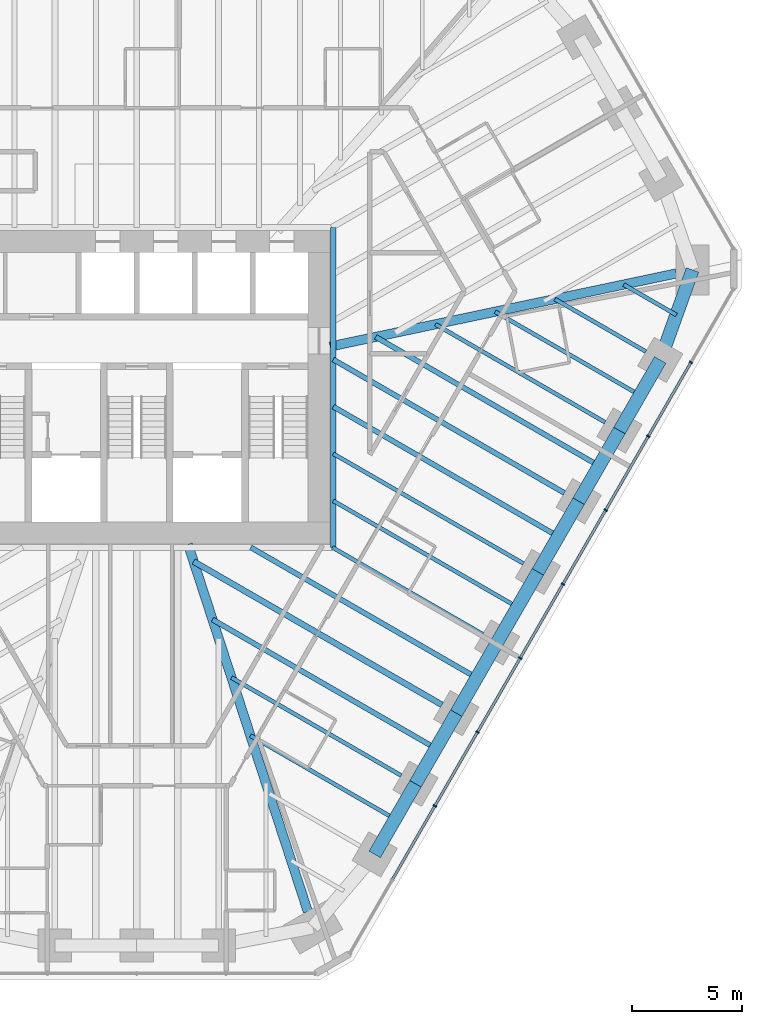
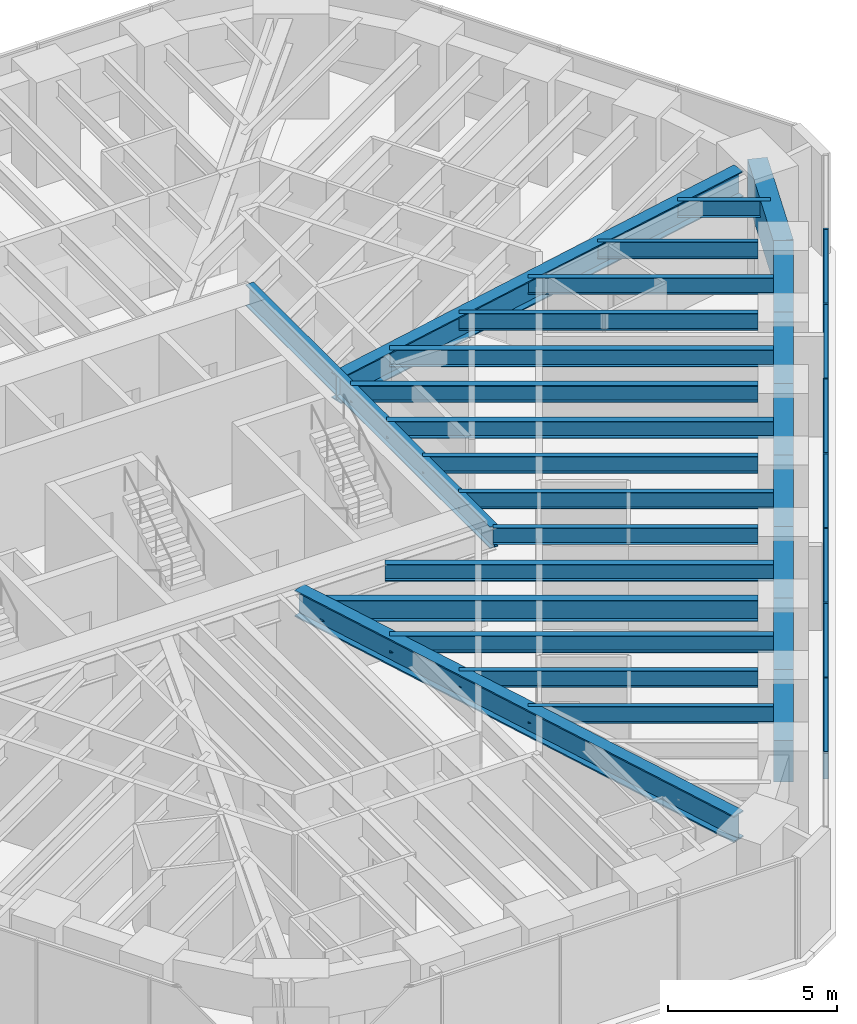
# One storey, part 5 of 16: 26 beams, 14 members, 1 element without a shape of its own.
"""IFC4 building model written with IfcOpenShell, lengths in metres."""

from ifc_helpers import new_model, si_unit, direction, frame, origin, origin_2d, place, context, subcontext, project, spatial, rectangle, i_section, extrude, material, material_profile, profile_set, type_object, element, aggregate, save


model = new_model("IFC4")

# Units and contexts
model_context = context("Model", 3, precision=1e-05, world=origin(), true_north=direction((0.0, 1.0)))
body_context = subcontext(model_context, "Body", "Model", "MODEL_VIEW")
ifc_project = project(units=[si_unit("LENGTHUNIT", "METRE"), si_unit("AREAUNIT", "SQUARE_METRE"), si_unit("VOLUMEUNIT", "CUBIC_METRE"), si_unit("PLANEANGLEUNIT", "RADIAN"), si_unit("MASSUNIT", "GRAM", prefix="KILO")], contexts=[model_context])

# Site, building, storey
site_placement = place(None, origin())
site = spatial("IfcSite", under=ifc_project, at=site_placement, CompositionType="ELEMENT")
building_placement = place(site_placement, origin())
building = spatial("IfcBuilding", under=site, at=building_placement, Name="Sandreach Pilgrim Tower", CompositionType="ELEMENT")
storey_placement = place(building_placement, frame((0.0, 0.0, 202.199951171875)))
storey = spatial("IfcBuildingStorey", under=building, at=storey_placement, Name="L50", CompositionType="ELEMENT", Elevation=202.199951171875)

# Curtain wall, members
ifc_material_1 = material(Name="Aluminium framed curtain wall", Category="aluminium")
curtain_wall_type = type_object("IfcCurtainWallType", Name="Upper hotel tower curtain wall", PredefinedType="NOTDEFINED", material=ifc_material_1)
curtain_wall_placement = place(storey_placement, origin())
curtain_wall = element("IfcCurtainWall", 1, at=curtain_wall_placement, inside=storey, type_object=curtain_wall_type, Name="CW-3 L50 SE", PredefinedType="NOTDEFINED")
ifc_material_2 = material(Name="Aluminium extrusion", Category="aluminium")
ifc_material_profile_1 = material_profile(ifc_material_2, rectangle(XDim=0.06494140625, YDim=0.159912109375, at=origin_2d()), Name="CW-3M 65X160")
ifc_profile_set_1 = profile_set([ifc_material_profile_1], Name="Aluminium extrusion")
member_type_1 = type_object("IfcMemberType", Name="CW-3 mullion", PredefinedType="MULLION", material=ifc_profile_set_1)
member_1_placement = place(storey_placement, frame((25.087890625, 1.13330078125, 0.0), z_axis=(0.0, 0.0, 1.0), x_axis=(-0.5, -0.866025403784, 0.0)))
member_1 = element("IfcMember", 2, at=member_1_placement, type_object=member_type_1, Name="CW-3 mullion 2", PredefinedType="MULLION", context=body_context, shape_type="SweptSolid", body=[
    extrude(rectangle(XDim=0.06494140625, YDim=0.159912109375, at=origin_2d()), origin(), (0.0, 0.0, 1.0), 3.64013671875),
])
member_2_placement = place(storey_placement, frame((23.15576171875, -2.21337890625, 0.0), z_axis=(0.0, 0.0, 1.0), x_axis=(-0.5, -0.866025403784, 0.0)))
member_2 = element("IfcMember", 3, at=member_2_placement, type_object=member_type_1, Name="CW-3 mullion 3", PredefinedType="MULLION", context=body_context, shape_type="SweptSolid", body=[
    extrude(rectangle(XDim=0.06494140625, YDim=0.159912109375, at=origin_2d()), origin(), (0.0, 0.0, 1.0), 3.64013671875),
])
member_3_placement = place(storey_placement, frame((21.223388671875, -5.56005859375, 0.0), z_axis=(0.0, 0.0, 1.0), x_axis=(-0.5, -0.866025403784, 0.0)))
member_3 = element("IfcMember", 4, at=member_3_placement, type_object=member_type_1, Name="CW-3 mullion 4", PredefinedType="MULLION", context=body_context, shape_type="SweptSolid", body=[
    extrude(rectangle(XDim=0.06494140625, YDim=0.159912109375, at=origin_2d()), origin(), (0.0, 0.0, 1.0), 3.64013671875),
])
member_4_placement = place(storey_placement, frame((19.291259765625, -8.90673828125, 0.0), z_axis=(0.0, 0.0, 1.0), x_axis=(-0.5, -0.866025403784, 0.0)))
member_4 = element("IfcMember", 5, at=member_4_placement, type_object=member_type_1, Name="CW-3 mullion 5", PredefinedType="MULLION", context=body_context, shape_type="SweptSolid", body=[
    extrude(rectangle(XDim=0.06494140625, YDim=0.159912109375, at=origin_2d()), origin(), (0.0, 0.0, 1.0), 3.64013671875),
])
member_5_placement = place(storey_placement, frame((17.359130859375, -12.25341796875, 0.0), z_axis=(0.0, 0.0, 1.0), x_axis=(-0.5, -0.866025403784, 0.0)))
member_5 = element("IfcMember", 6, at=member_5_placement, type_object=member_type_1, Name="CW-3 mullion 6", PredefinedType="MULLION", context=body_context, shape_type="SweptSolid", body=[
    extrude(rectangle(XDim=0.06494140625, YDim=0.159912109375, at=origin_2d()), origin(), (0.0, 0.0, 1.0), 3.64013671875),
])
member_6_placement = place(storey_placement, frame((15.4267578125, -15.60009765625, 0.0), z_axis=(0.0, 0.0, 1.0), x_axis=(-0.5, -0.866025403784, 0.0)))
member_6 = element("IfcMember", 7, at=member_6_placement, type_object=member_type_1, Name="CW-3 mullion 7", PredefinedType="MULLION", context=body_context, shape_type="SweptSolid", body=[
    extrude(rectangle(XDim=0.06494140625, YDim=0.159912109375, at=origin_2d()), origin(), (0.0, 0.0, 1.0), 3.64013671875),
])
member_7_placement = place(storey_placement, frame((13.49462890625, -18.94677734375, 0.0), z_axis=(0.0, 0.0, 1.0), x_axis=(-0.5, -0.866025403784, 0.0)))
member_7 = element("IfcMember", 8, at=member_7_placement, type_object=member_type_1, Name="CW-3 mullion 8", PredefinedType="MULLION", context=body_context, shape_type="SweptSolid", body=[
    extrude(rectangle(XDim=0.06494140625, YDim=0.159912109375, at=origin_2d()), origin(), (0.0, 0.0, 1.0), 3.64013671875),
])
ifc_material_3 = material(Name="Aluminium extrusion", Category="aluminium")
ifc_material_profile_2 = material_profile(ifc_material_3, rectangle(XDim=0.1201171875, YDim=0.070068359375, at=origin_2d()), Name="CW-3T 120X70")
ifc_profile_set_2 = profile_set([ifc_material_profile_2], Name="Aluminium extrusion")
member_type_2 = type_object("IfcMemberType", Name="CW-3 transom", PredefinedType="USERDEFINED", material=ifc_profile_set_2)
member_8_placement = place(storey_placement, frame((25.07177734375, 1.105224609375, 3.60498046875), z_axis=(-0.500022797313, -0.86601224135, 0.0), x_axis=(0.86601224135, -0.500022797313, 0.0)))
member_8 = element("IfcMember", 9, at=member_8_placement, type_object=member_type_2, Name="CW-3 head transom 2", ObjectType="TRANSOM", PredefinedType="USERDEFINED", context=body_context, shape_type="SweptSolid", body=[
    extrude(rectangle(XDim=0.1201171875, YDim=0.070068359375, at=origin_2d()), origin(), (0.0, 0.0, 1.0), 3.799560546875),
])
member_9_placement = place(storey_placement, frame((23.139404296875, -2.241455078125, 3.60498046875), z_axis=(-0.499974606132, -0.866040064445, 0.0), x_axis=(0.866040064445, -0.499974606132, 0.0)))
member_9 = element("IfcMember", 10, at=member_9_placement, type_object=member_type_2, Name="CW-3 head transom 3", ObjectType="TRANSOM", PredefinedType="USERDEFINED", context=body_context, shape_type="SweptSolid", body=[
    extrude(rectangle(XDim=0.1201171875, YDim=0.070068359375, at=origin_2d()), origin(), (0.0, 0.0, 1.0), 3.799560546875),
])
member_10_placement = place(storey_placement, frame((21.207275390625, -5.588134765625, 3.60498046875), z_axis=(-0.499974606132, -0.866040064445, 0.0), x_axis=(0.866040064445, -0.499974606132, 0.0)))
member_10 = element("IfcMember", 11, at=member_10_placement, type_object=member_type_2, Name="CW-3 head transom 4", ObjectType="TRANSOM", PredefinedType="USERDEFINED", context=body_context, shape_type="SweptSolid", body=[
    extrude(rectangle(XDim=0.1201171875, YDim=0.070068359375, at=origin_2d()), origin(), (0.0, 0.0, 1.0), 3.799560546875),
])
member_11_placement = place(storey_placement, frame((19.275146484375, -8.934814453125, 3.60498046875), z_axis=(-0.500022797313, -0.86601224135, 0.0), x_axis=(0.86601224135, -0.500022797313, 0.0)))
member_11 = element("IfcMember", 12, at=member_11_placement, type_object=member_type_2, Name="CW-3 head transom 5", ObjectType="TRANSOM", PredefinedType="USERDEFINED", context=body_context, shape_type="SweptSolid", body=[
    extrude(rectangle(XDim=0.1201171875, YDim=0.070068359375, at=origin_2d()), origin(), (0.0, 0.0, 1.0), 3.799560546875),
])
member_12_placement = place(storey_placement, frame((17.3427734375, -12.281494140625, 3.60498046875), z_axis=(-0.499974606132, -0.866040064445, 0.0), x_axis=(0.866040064445, -0.499974606132, 0.0)))
member_12 = element("IfcMember", 13, at=member_12_placement, type_object=member_type_2, Name="CW-3 head transom 6", ObjectType="TRANSOM", PredefinedType="USERDEFINED", context=body_context, shape_type="SweptSolid", body=[
    extrude(rectangle(XDim=0.1201171875, YDim=0.070068359375, at=origin_2d()), origin(), (0.0, 0.0, 1.0), 3.799560546875),
])
member_13_placement = place(storey_placement, frame((15.41064453125, -15.628173828125, 3.60498046875), z_axis=(-0.499974606132, -0.866040064445, 0.0), x_axis=(0.866040064445, -0.499974606132, 0.0)))
member_13 = element("IfcMember", 14, at=member_13_placement, type_object=member_type_2, Name="CW-3 head transom 7", ObjectType="TRANSOM", PredefinedType="USERDEFINED", context=body_context, shape_type="SweptSolid", body=[
    extrude(rectangle(XDim=0.1201171875, YDim=0.070068359375, at=origin_2d()), origin(), (0.0, 0.0, 1.0), 3.799560546875),
])
member_14_placement = place(storey_placement, frame((13.478515625, -18.974853515625, 3.60498046875), z_axis=(-0.500022797313, -0.86601224135, 0.0), x_axis=(0.86601224135, -0.500022797313, 0.0)))
member_14 = element("IfcMember", 15, at=member_14_placement, type_object=member_type_2, Name="CW-3 head transom 8", ObjectType="TRANSOM", PredefinedType="USERDEFINED", context=body_context, shape_type="SweptSolid", body=[
    extrude(rectangle(XDim=0.1201171875, YDim=0.070068359375, at=origin_2d()), origin(), (0.0, 0.0, 1.0), 3.799560546875),
])
aggregate(curtain_wall, [member_1, member_2, member_3, member_4, member_5, member_6, member_7, member_8, member_9, member_10, member_11, member_12, member_13, member_14])

# Beams
ifc_material_4 = material(Name="Steel ASTM A992 Grade 50", Category="steel")
ifc_material_profile_3 = material_profile(ifc_material_4, i_section(OverallWidth=0.2666015625, OverallDepth=0.77978515625, WebThickness=0.0166015625, FlangeThickness=0.030029296875, at=origin_2d()), Name="W30X148")
ifc_profile_set_3 = profile_set([ifc_material_profile_3], Name="Steel ASTM A992 Grade 50")
beam_type_1 = type_object("IfcBeamType", Name="Core edge beam W30X148", PredefinedType="BEAM", material=ifc_profile_set_3)
beam_1_placement = place(storey_placement, frame((8.893310546875, 7.243408203125, 3.250244140625), z_axis=(0.0, -1.0, 0.0), x_axis=(1.0, 0.0, 0.0)))
element("IfcBeam", 16, at=beam_1_placement, inside=storey, type_object=beam_type_1, Name="BM L50 CEE", PredefinedType="BEAM", context=body_context, shape_type="SweptSolid", body=[
    extrude(i_section(OverallWidth=0.2666015625, OverallDepth=0.77978515625, WebThickness=0.0166015625, FlangeThickness=0.030029296875, at=origin_2d()), origin(), (0.0, 0.0, 1.0), 14.48681640625),
])
ifc_material_5 = material(Name="Steel ASTM A992 Grade 50", Category="steel")
ifc_material_profile_4 = material_profile(ifc_material_5, i_section(OverallWidth=0.421630859375, OverallDepth=0.937255859375, WebThickness=0.0224609375, FlangeThickness=0.039794921875, at=origin_2d()), Name="W36X282")
ifc_profile_set_4 = profile_set([ifc_material_profile_4], Name="Steel ASTM A992 Grade 50")
beam_type_2 = type_object("IfcBeamType", Name="Corner girder W36X282", PredefinedType="BEAM", material=ifc_profile_set_4)
beam_2_placement = place(storey_placement, frame((24.422607421875, 5.156494140625, 3.17138671875), z_axis=(-0.978428978804, -0.206583478132, 0.0), x_axis=(0.206583478132, -0.978428978804, 0.0)))
element("IfcBeam", 17, at=beam_2_placement, inside=storey, type_object=beam_type_2, Name="BM L50 CG13", PredefinedType="BEAM", context=body_context, shape_type="SweptSolid", body=[
    extrude(i_section(OverallWidth=0.421630859375, OverallDepth=0.937255859375, WebThickness=0.0224609375, FlangeThickness=0.039794921875, at=origin_2d()), origin(), (0.0, 0.0, 1.0), 16.01806640625),
])
ifc_material_6 = material(Name="Steel ASTM A992 Grade 50", Category="steel")
ifc_material_profile_5 = material_profile(ifc_material_6, i_section(OverallWidth=0.421630859375, OverallDepth=0.95751953125, WebThickness=0.02587890625, FlangeThickness=0.046875, at=origin_2d()), Name="W36X330")
ifc_profile_set_5 = profile_set([ifc_material_profile_5], Name="Steel ASTM A992 Grade 50")
beam_type_3 = type_object("IfcBeamType", Name="Corner girder W36X330", PredefinedType="BEAM", material=ifc_profile_set_5)
beam_3_placement = place(storey_placement, frame((7.745849609375, -23.72900390625, 3.161376953125), z_axis=(-0.310317870968, 0.950632851819, 0.0), x_axis=(-0.950632851819, -0.310317870968, 0.0)))
element("IfcBeam", 18, at=beam_3_placement, inside=storey, type_object=beam_type_3, Name="BM L50 CG22", PredefinedType="BEAM", context=body_context, shape_type="SweptSolid", body=[
    extrude(i_section(OverallWidth=0.421630859375, OverallDepth=0.95751953125, WebThickness=0.02587890625, FlangeThickness=0.046875, at=origin_2d()), origin(), (0.0, 0.0, 1.0), 17.492431640625),
])
ifc_material_7 = material(Name="Steel ASTM A992 Grade 50", Category="steel")
ifc_material_profile_6 = material_profile(ifc_material_7, i_section(OverallWidth=0.1787109375, OverallDepth=0.60205078125, WebThickness=0.010986328125, FlangeThickness=0.014892578125, at=origin_2d()), Name="W24X62")
ifc_profile_set_6 = profile_set([ifc_material_profile_6], Name="Steel ASTM A992 Grade 50")
beam_type_4 = type_object("IfcBeamType", Name="Floor beam W24X62", PredefinedType="BEAM", material=ifc_profile_set_6)
beam_4_placement = place(storey_placement, frame((23.04638671875, 1.6171875, 3.339111328125), z_axis=(-0.86603347311, 0.499986023258, 0.0), x_axis=(-0.499986023258, -0.86603347311, 0.0)))
element("IfcBeam", 19, at=beam_4_placement, inside=storey, type_object=beam_type_4, Name="BM L50 F14", PredefinedType="BEAM", context=body_context, shape_type="SweptSolid", body=[
    extrude(i_section(OverallWidth=0.1787109375, OverallDepth=0.60205078125, WebThickness=0.010986328125, FlangeThickness=0.014892578125, at=origin_2d()), origin(), (0.0, 0.0, 1.0), 4.757568359375),
])
beam_5_placement = place(storey_placement, frame((21.2001953125, -1.58056640625, 3.339111328125), z_axis=(-0.866027448082, 0.499996459156, 0.0), x_axis=(-0.499996459156, -0.866027448082, 0.0)))
element("IfcBeam", 20, at=beam_5_placement, inside=storey, type_object=beam_type_4, Name="BM L50 F15", PredefinedType="BEAM", context=body_context, shape_type="SweptSolid", body=[
    extrude(i_section(OverallWidth=0.1787109375, OverallDepth=0.60205078125, WebThickness=0.010986328125, FlangeThickness=0.014892578125, at=origin_2d()), origin(), (0.0, 0.0, 1.0), 8.86962890625),
])
beam_6_placement = place(storey_placement, frame((17.507568359375, -7.97607421875, 3.339111328125), z_axis=(-0.866027815265, 0.499995823171, 0.0), x_axis=(-0.499995823171, -0.866027815265, 0.0)))
element("IfcBeam", 21, at=beam_6_placement, inside=storey, type_object=beam_type_4, Name="BM L50 F17", PredefinedType="BEAM", context=body_context, shape_type="SweptSolid", body=[
    extrude(i_section(OverallWidth=0.1787109375, OverallDepth=0.60205078125, WebThickness=0.010986328125, FlangeThickness=0.014892578125, at=origin_2d()), origin(), (0.0, 0.0, 1.0), 9.94677734375),
])
beam_7_placement = place(storey_placement, frame((15.661376953125, -11.173828125, 3.339111328125), z_axis=(-0.866038711524, 0.49997694961, 0.0), x_axis=(-0.49997694961, -0.866038711524, 0.0)))
element("IfcBeam", 22, at=beam_7_placement, inside=storey, type_object=beam_type_4, Name="BM L50 F18", PredefinedType="BEAM", context=body_context, shape_type="SweptSolid", body=[
    extrude(i_section(OverallWidth=0.1787109375, OverallDepth=0.60205078125, WebThickness=0.010986328125, FlangeThickness=0.014892578125, at=origin_2d()), origin(), (0.0, 0.0, 1.0), 7.861083984375),
])
beam_8_placement = place(storey_placement, frame((11.96875, -17.569580078125, 3.339111328125), z_axis=(-0.866020566617, 0.500008378126, 0.0), x_axis=(-0.500008378126, -0.866020566617, 0.0)))
element("IfcBeam", 23, at=beam_8_placement, inside=storey, type_object=beam_type_4, Name="BM L50 F20", PredefinedType="BEAM", context=body_context, shape_type="SweptSolid", body=[
    extrude(i_section(OverallWidth=0.1787109375, OverallDepth=0.60205078125, WebThickness=0.010986328125, FlangeThickness=0.014892578125, at=origin_2d()), origin(), (0.0, 0.0, 1.0), 8.869384765625),
])
beam_9_placement = place(storey_placement, frame((24.42626953125, 3.27685546875, 3.339111328125), z_axis=(-0.866046803606, 0.49996293259, 0.0), x_axis=(-0.49996293259, -0.866046803606, 0.0)))
element("IfcBeam", 24, at=beam_9_placement, inside=storey, type_object=beam_type_4, Name="BM L50 FM13", PredefinedType="BEAM", context=body_context, shape_type="SweptSolid", body=[
    extrude(i_section(OverallWidth=0.1787109375, OverallDepth=0.60205078125, WebThickness=0.010986328125, FlangeThickness=0.014892578125, at=origin_2d()), origin(), (0.0, 0.0, 1.0), 2.753662109375),
])
beam_10_placement = place(storey_placement, frame((22.772705078125, -0.356689453125, 3.339111328125), z_axis=(-0.866029704776, 0.49999255039, 0.0), x_axis=(-0.49999255039, -0.866029704776, 0.0)))
element("IfcBeam", 25, at=beam_10_placement, inside=storey, type_object=beam_type_4, Name="BM L50 FM14", PredefinedType="BEAM", context=body_context, shape_type="SweptSolid", body=[
    extrude(i_section(OverallWidth=0.1787109375, OverallDepth=0.60205078125, WebThickness=0.010986328125, FlangeThickness=0.014892578125, at=origin_2d()), origin(), (0.0, 0.0, 1.0), 7.5634765625),
])
beam_11_placement = place(storey_placement, frame((17.23388671875, -9.949951171875, 3.339111328125), z_axis=(-0.866025593094, 0.499999672107, 0.0), x_axis=(-0.499999672107, -0.866025593094, 0.0)))
element("IfcBeam", 26, at=beam_11_placement, inside=storey, type_object=beam_type_4, Name="BM L50 FM17", PredefinedType="BEAM", context=body_context, shape_type="SweptSolid", body=[
    extrude(i_section(OverallWidth=0.1787109375, OverallDepth=0.60205078125, WebThickness=0.010986328125, FlangeThickness=0.014892578125, at=origin_2d()), origin(), (0.0, 0.0, 1.0), 9.630859375),
])
beam_12_placement = place(storey_placement, frame((11.6953125, -19.54345703125, 3.339111328125), z_axis=(-0.866029704776, 0.49999255039, 0.0), x_axis=(-0.49999255039, -0.866029704776, 0.0)))
element("IfcBeam", 27, at=beam_12_placement, inside=storey, type_object=beam_type_4, Name="BM L50 FM20", PredefinedType="BEAM", context=body_context, shape_type="SweptSolid", body=[
    extrude(i_section(OverallWidth=0.1787109375, OverallDepth=0.60205078125, WebThickness=0.010986328125, FlangeThickness=0.014892578125, at=origin_2d()), origin(), (0.0, 0.0, 1.0), 7.5634765625),
])
ifc_material_8 = material(Name="Steel ASTM A992 Grade 50", Category="steel")
ifc_material_profile_7 = material_profile(ifc_material_8, i_section(OverallWidth=0.23046875, OverallDepth=0.6171875, WebThickness=0.01318359375, FlangeThickness=0.022216796875, at=origin_2d()), Name="W24X94")
ifc_profile_set_7 = profile_set([ifc_material_profile_7], Name="Steel ASTM A992 Grade 50")
beam_type_5 = type_object("IfcBeamType", Name="Floor beam W24X94", PredefinedType="BEAM", material=ifc_profile_set_7)
beam_13_placement = place(storey_placement, frame((19.353759765625, -4.7783203125, 3.33154296875), z_axis=(-0.866026713419, 0.49999773164, 0.0), x_axis=(-0.49999773164, -0.866026713419, 0.0)))
element("IfcBeam", 28, at=beam_13_placement, inside=storey, type_object=beam_type_5, Name="BM L50 F16", PredefinedType="BEAM", context=body_context, shape_type="SweptSolid", body=[
    extrude(i_section(OverallWidth=0.23046875, OverallDepth=0.6171875, WebThickness=0.01318359375, FlangeThickness=0.022216796875, at=origin_2d()), origin(), (0.0, 0.0, 1.0), 12.07861328125),
])
beam_14_placement = place(storey_placement, frame((20.926513671875, -3.554443359375, 3.33154296875), z_axis=(-0.866026454974, 0.499998179282, 0.0), x_axis=(-0.499998179282, -0.866026454974, 0.0)))
element("IfcBeam", 29, at=beam_14_placement, inside=storey, type_object=beam_type_5, Name="BM L50 FM15", PredefinedType="BEAM", context=body_context, shape_type="SweptSolid", body=[
    extrude(i_section(OverallWidth=0.23046875, OverallDepth=0.6171875, WebThickness=0.01318359375, FlangeThickness=0.022216796875, at=origin_2d()), origin(), (0.0, 0.0, 1.0), 11.67578125),
])
beam_15_placement = place(storey_placement, frame((19.080322265625, -6.752197265625, 3.33154296875), z_axis=(-0.866030053141, 0.499991946992, 0.0), x_axis=(-0.499991946992, -0.866030053141, 0.0)))
element("IfcBeam", 30, at=beam_15_placement, inside=storey, type_object=beam_type_5, Name="BM L50 FM16", PredefinedType="BEAM", context=body_context, shape_type="SweptSolid", body=[
    extrude(i_section(OverallWidth=0.23046875, OverallDepth=0.6171875, WebThickness=0.01318359375, FlangeThickness=0.022216796875, at=origin_2d()), origin(), (0.0, 0.0, 1.0), 11.762939453125),
])
beam_16_placement = place(storey_placement, frame((15.3876953125, -13.14794921875, 3.33154296875), z_axis=(-0.866022050506, 0.500005808004, 0.0), x_axis=(-0.500005808004, -0.866022050506, 0.0)))
element("IfcBeam", 31, at=beam_16_placement, inside=storey, type_object=beam_type_5, Name="BM L50 FM18", PredefinedType="BEAM", context=body_context, shape_type="SweptSolid", body=[
    extrude(i_section(OverallWidth=0.23046875, OverallDepth=0.6171875, WebThickness=0.01318359375, FlangeThickness=0.022216796875, at=origin_2d()), origin(), (0.0, 0.0, 1.0), 11.808837890625),
])
beam_17_placement = place(storey_placement, frame((13.54150390625, -16.345703125, 3.33154296875), z_axis=(-0.866026454974, 0.499998179282, 0.0), x_axis=(-0.499998179282, -0.866026454974, 0.0)))
element("IfcBeam", 32, at=beam_17_placement, inside=storey, type_object=beam_type_5, Name="BM L50 FM19", PredefinedType="BEAM", context=body_context, shape_type="SweptSolid", body=[
    extrude(i_section(OverallWidth=0.23046875, OverallDepth=0.6171875, WebThickness=0.01318359375, FlangeThickness=0.022216796875, at=origin_2d()), origin(), (0.0, 0.0, 1.0), 11.67578125),
])
ifc_material_9 = material(Name="Steel ASTM A992 Grade 50", Category="steel")
ifc_material_profile_8 = material_profile(ifc_material_9, i_section(OverallWidth=0.2666015625, OverallDepth=0.761962890625, WebThickness=0.014404296875, FlangeThickness=0.021484375, at=origin_2d()), Name="W30X116")
ifc_profile_set_8 = profile_set([ifc_material_profile_8], Name="Steel ASTM A992 Grade 50")
beam_type_6 = type_object("IfcBeamType", Name="Floor beam W30X116", PredefinedType="BEAM", material=ifc_profile_set_8)
beam_18_placement = place(storey_placement, frame((13.815185546875, -14.371826171875, 3.259033203125), z_axis=(-0.866025240073, 0.500000283557, 0.0), x_axis=(-0.500000283557, -0.866025240073, 0.0)))
element("IfcBeam", 33, at=beam_18_placement, inside=storey, type_object=beam_type_6, Name="BM L50 F19", PredefinedType="BEAM", context=body_context, shape_type="SweptSolid", body=[
    extrude(i_section(OverallWidth=0.2666015625, OverallDepth=0.761962890625, WebThickness=0.014404296875, FlangeThickness=0.021484375, at=origin_2d()), origin(), (0.0, 0.0, 1.0), 12.98193359375),
])
ifc_material_10 = material(Name="Concrete 10000 psi", Category="concrete")
ifc_material_profile_9 = material_profile(ifc_material_10, rectangle(XDim=0.60009765625, YDim=1.5, at=origin_2d()), Name="RC600X1500")
ifc_profile_set_9 = profile_set([ifc_material_profile_9], Name="Concrete 10000 psi")
beam_type_7 = type_object("IfcBeamType", Name="Spandrel beam RC600X1500", PredefinedType="SPANDREL", material=ifc_profile_set_9)
beam_19_placement = place(storey_placement, frame((25.156494140625, 5.311279296875, 2.89013671875), z_axis=(-0.337863470932, -0.941195131208, 0.0), x_axis=(0.941195131208, -0.337863470932, 0.0)))
element("IfcBeam", 34, at=beam_19_placement, inside=storey, type_object=beam_type_7, Name="BM L50 SP13", PredefinedType="SPANDREL", context=body_context, shape_type="SweptSolid", body=[
    extrude(rectangle(XDim=0.60009765625, YDim=1.5, at=origin_2d()), origin(), (0.0, 0.0, 1.0), 4.3232421875),
])
for number, where, z_axis, x_axis, name in (
    (35, (23.69580078125, 1.2421875, 2.89013671875), (-0.499993363642, -0.866029235253, 0.0), (0.866029235253, -0.499993363642, 0.0), "BM L50 SP14"),
    (36, (21.849609375, -1.95556640625, 2.89013671875), (-0.499993363642, -0.866029235253, 0.0), (0.866029235253, -0.499993363642, 0.0), "BM L50 SP15"),
    (37, (20.00341796875, -5.1533203125, 2.89013671875), (-0.499993363642, -0.866029235253, 0.0), (0.866029235253, -0.499993363642, 0.0), "BM L50 SP16"),
):
    element("IfcBeam", number, at=place(storey_placement, frame(where, z_axis=z_axis, x_axis=x_axis)), inside=storey, type_object=beam_type_7, Name=name, PredefinedType="SPANDREL", context=body_context, shape_type="SweptSolid", body=[
        extrude(rectangle(XDim=0.60009765625, YDim=1.5, at=origin_2d()), origin(), (0.0, 0.0, 1.0), 3.6923828125),
    ])
for number, where, z_axis, x_axis, name in (
    (38, (18.1572265625, -8.35107421875, 2.89013671875), (-0.500042951019, -0.866000604582, 0.0), (0.866000604582, -0.500042951019, 0.0), "BM L50 SP17"),
    (39, (16.310791015625, -11.548828125, 2.89013671875), (-0.49996473481, -0.866045763194, 0.0), (0.866045763194, -0.49996473481, 0.0), "BM L50 SP18"),
):
    element("IfcBeam", number, at=place(storey_placement, frame(where, z_axis=z_axis, x_axis=x_axis)), inside=storey, type_object=beam_type_7, Name=name, PredefinedType="SPANDREL", context=body_context, shape_type="SweptSolid", body=[
        extrude(rectangle(XDim=0.60009765625, YDim=1.5, at=origin_2d()), origin(), (0.0, 0.0, 1.0), 3.692626953125),
    ])
for number, where, z_axis, x_axis, name in (
    (40, (14.464599609375, -14.746826171875, 2.89013671875), (-0.499993363642, -0.866029235253, 0.0), (0.866029235253, -0.499993363642, 0.0), "BM L50 SP19"),
    (41, (12.618408203125, -17.944580078125, 2.89013671875), (-0.499993363642, -0.866029235253, 0.0), (0.866029235253, -0.499993363642, 0.0), "BM L50 SP20"),
):
    element("IfcBeam", number, at=place(storey_placement, frame(where, z_axis=z_axis, x_axis=x_axis)), inside=storey, type_object=beam_type_7, Name=name, PredefinedType="SPANDREL", context=body_context, shape_type="SweptSolid", body=[
        extrude(rectangle(XDim=0.60009765625, YDim=1.5, at=origin_2d()), origin(), (0.0, 0.0, 1.0), 3.6923828125),
    ])

save(model, "model.ifc")
